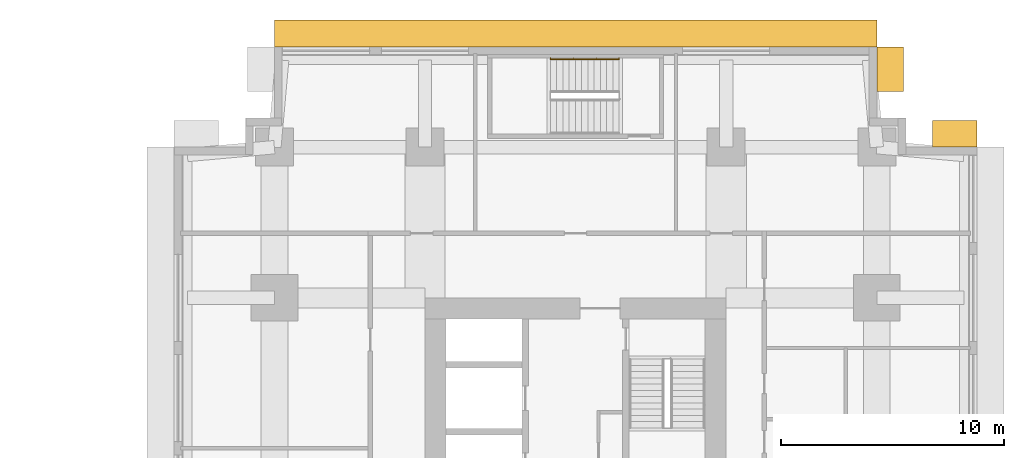
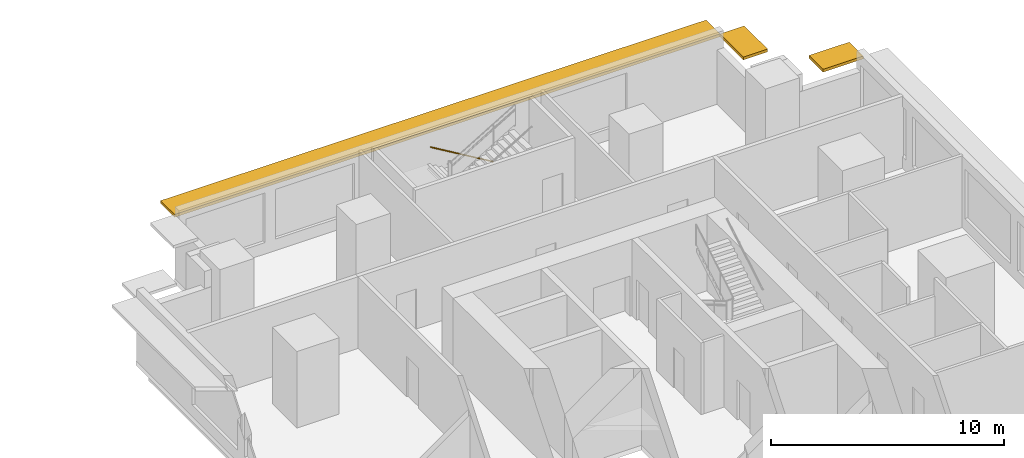
# One storey, part 11 of 11: 3 shading devices, 1 railing.
"""IFC4 building model written with IfcOpenShell, lengths in metres."""

import ifcopenshell
import ifcopenshell.guid

model = None  # the IFC model being written
_history = None  # IfcOwnerHistory: only IFC2X3 demands one
_inside = {}  # id of a spatial element -> (the spatial element, [elements in it])
_under = {}  # id of a project, library or spatial element -> (it, [spatial elements below it])
_declared = {}  # id of a project -> (the project, [libraries it declares])
_typed = {}  # id of a type object -> (the type object, [elements of that type])
_made_of = {}  # id of a material, layer set ... -> (it, [elements and type objects made of it])


def new_model(schema):
    """Start an empty IFC model of exactly this schema.

    Asked for "IFC4X3", IfcOpenShell would pick the latest addendum, in which some entities
    have other attributes; the version numbers below select the first issue.
    IFC2X3 requires an IfcOwnerHistory on every rooted entity: one is made here for all.
    """
    global model, _history
    if schema == "IFC4X3":
        model = ifcopenshell.file(schema_version=(4, 3, 0, 0))
    else:
        model = ifcopenshell.file(schema=schema)
    _inside.clear()
    _under.clear()
    _declared.clear()
    _typed.clear()
    _made_of.clear()
    _history = None
    if model.schema == "IFC2X3":
        org = make("IfcOrganization", Name="unknown")
        user = make(
            "IfcPersonAndOrganization",
            ThePerson=make("IfcPerson", FamilyName="unknown"),
            TheOrganization=org,
        )
        app = make(
            "IfcApplication",
            ApplicationDeveloper=org,
            Version="unknown",
            ApplicationFullName="unknown",
            ApplicationIdentifier="unknown",
        )
        _history = make(
            "IfcOwnerHistory",
            OwningUser=user,
            OwningApplication=app,
            ChangeAction="ADDED",
            CreationDate=0,
        )
    return model


def make(cls, **values):
    """One entity of the class cls with the attributes given. An attribute that is None is left unset."""
    return model.create_entity(
        cls, **{name: value for name, value in values.items() if value is not None}
    )


def rooted(cls, **values):
    """An entity with a GlobalId (a new one), such as an element, a storey or a relation."""
    return make(cls, GlobalId=ifcopenshell.guid.new(), OwnerHistory=_history, **values)


def si_unit(unit_type, name, prefix=None):
    """IfcSIUnit, for example si_unit("LENGTHUNIT", "METRE", prefix="MILLI")."""
    return make("IfcSIUnit", UnitType=unit_type, Prefix=prefix, Name=name)


def assignment(units):
    """IfcUnitAssignment: the units of a project."""
    return None if units is None else make("IfcUnitAssignment", Units=units)


def point(xyz):
    """IfcCartesianPoint."""
    return None if xyz is None else make("IfcCartesianPoint", Coordinates=xyz)


def direction(xyz):
    """IfcDirection."""
    return None if xyz is None else make("IfcDirection", DirectionRatios=xyz)


def frame(location, z_axis=None, x_axis=None):
    """IfcAxis2Placement3D, a coordinate frame: its origin and axes. An axis left out is left unset."""
    return make(
        "IfcAxis2Placement3D",
        Location=point(location),
        Axis=direction(z_axis),
        RefDirection=direction(x_axis),
    )


def frame_2d(location, x_axis=None):
    """IfcAxis2Placement2D, a coordinate frame in the plane: its origin and x axis."""
    return make(
        "IfcAxis2Placement2D", Location=point(location), RefDirection=direction(x_axis)
    )


def origin():
    """The frame at (0, 0, 0) with its axes left unset."""
    return frame((0.0, 0.0, 0.0))


def origin_2d():
    """The frame at (0, 0) in the plane with its x axis left unset."""
    return frame_2d((0.0, 0.0))


def place(relative_to, where):
    """IfcLocalPlacement: puts the frame where relative to a parent placement (None: the world)."""
    return make(
        "IfcLocalPlacement", PlacementRelTo=relative_to, RelativePlacement=where
    )


def context(
    kind, dimensions, precision=None, world=None, true_north=None, identifier=None
):
    """IfcGeometricRepresentationContext, for example the 3D "Model" context."""
    return make(
        "IfcGeometricRepresentationContext",
        ContextIdentifier=identifier,
        ContextType=kind,
        CoordinateSpaceDimension=dimensions,
        Precision=precision,
        WorldCoordinateSystem=world,
        TrueNorth=true_north,
    )


def subcontext(parent, identifier, kind, view, scale=None):
    """IfcGeometricRepresentationSubContext, for example "Body" below "Model"."""
    return make(
        "IfcGeometricRepresentationSubContext",
        ContextIdentifier=identifier,
        ContextType=kind,
        ParentContext=parent,
        TargetScale=scale,
        TargetView=view,
    )


def project(units=None, contexts=None):
    """IfcProject with its units and contexts."""
    return rooted(
        "IfcProject",
        Name="project",
        RepresentationContexts=contexts,
        UnitsInContext=assignment(units),
    )


def spatial(cls, under=None, at=None, **own):
    """A site, building, storey or space (cls), placed at a placement, below another one or the project."""
    s = rooted(cls, ObjectPlacement=at, **own)
    if under is not None:
        _under.setdefault(under.id(), (under, []))[1].append(s)
    return s


def profile(cls, at=None, kind="AREA", **sizes):
    """A parametric profile (cls). Its sizes go by their IFC names, for example OverallWidth=200.0."""
    return make(cls, ProfileType=kind, Position=at, **sizes)


def rectangle(**sizes):
    """IfcRectangleProfileDef."""
    return profile("IfcRectangleProfileDef", **sizes)


def circle(**sizes):
    """IfcCircleProfileDef."""
    return profile("IfcCircleProfileDef", **sizes)


def extrude(swept, where, along, depth):
    """IfcExtrudedAreaSolid: the profile swept, set in the frame where, extruded along a direction by depth."""
    return make(
        "IfcExtrudedAreaSolid",
        SweptArea=swept,
        Position=where,
        ExtrudedDirection=direction(along),
        Depth=depth,
    )


def shape(context_of_items, identifier, shape_type, items):
    """IfcShapeRepresentation: the items that make up one representation, for example the "Body"."""
    return make(
        "IfcShapeRepresentation",
        ContextOfItems=context_of_items,
        RepresentationIdentifier=identifier,
        RepresentationType=shape_type,
        Items=items,
    )


def material(Name=None, Category=None):
    """IfcMaterial."""
    return make("IfcMaterial", Name=Name, Category=Category)


def layer(
    of_material, thickness, ventilated=None, Name=None, Category=None, Priority=None
):
    """IfcMaterialLayer: one layer of a wall or slab, of a material (None: an air gap)."""
    return make(
        "IfcMaterialLayer",
        Material=of_material,
        LayerThickness=thickness,
        IsVentilated=ventilated,
        Name=Name,
        Category=Category,
        Priority=Priority,
    )


def layer_set(layers, Name=None):
    """IfcMaterialLayerSet."""
    return make("IfcMaterialLayerSet", MaterialLayers=layers, LayerSetName=Name)


def made_of(thing, what):
    """Note that an element or type object is made of a material, layer set ...; save() writes the relation."""
    if what is not None:
        _made_of.setdefault(what.id(), (what, []))[1].append(thing)
    return thing


def type_object(cls, material=None, **own):
    """A type object (cls), such as IfcWallType, which elements share."""
    return made_of(rooted(cls, **own), material)


def element(
    cls,
    number,
    at=None,
    inside=None,
    cuts=None,
    type_object=None,
    material=None,
    context=None,
    identifier="Body",
    shape_type=None,
    held_by="IfcProductDefinitionShape",
    body=None,
    shapes=None,
    **own,
):
    """One element of the class cls, such as IfcWall. Its Tag is "e" and its number.

    at: its placement. inside: the storey or other place that contains it. cuts: it is an
    opening in that element (IfcRelVoidsElement). A single representation is given by context,
    identifier, shape_type and body (its items); several are given by shapes. held_by: the class
    of the entity that holds the representations. save() writes the other relations.
    """
    e = rooted(cls, Tag="e%d" % number, ObjectPlacement=at, **own)
    if body is not None:
        shapes = [shape(context, identifier, shape_type, body)]
    if shapes is not None:
        e.Representation = make(held_by, Representations=shapes)
    if inside is not None:
        _inside.setdefault(inside.id(), (inside, []))[1].append(e)
    if cuts is not None:
        rooted(
            "IfcRelVoidsElement", RelatingBuildingElement=cuts, RelatedOpeningElement=e
        )
    if type_object is not None:
        _typed.setdefault(type_object.id(), (type_object, []))[1].append(e)
    return made_of(e, material)


def aggregate(whole, parts):
    """IfcRelAggregates: a whole, such as a stair, and the parts it consists of."""
    return rooted("IfcRelAggregates", RelatingObject=whole, RelatedObjects=parts)


def save(model, path):
    """Write the relations noted so far, then the file.

    IfcRelAggregates (storeys below a building ...), IfcRelContainedInSpatialStructure (elements
    in a storey), IfcRelDefinesByType, IfcRelAssociatesMaterial and IfcRelDeclares: one each for
    every whole, place, type object, material and project.
    """
    for whole, parts in _under.values():
        aggregate(whole, parts)
    for where, things in _inside.values():
        rooted(
            "IfcRelContainedInSpatialStructure",
            RelatedElements=things,
            RelatingStructure=where,
        )
    for kind, things in _typed.values():
        rooted("IfcRelDefinesByType", RelatedObjects=things, RelatingType=kind)
    for what, things in _made_of.values():
        rooted("IfcRelAssociatesMaterial", RelatedObjects=things, RelatingMaterial=what)
    for by, libraries in _declared.values():
        rooted("IfcRelDeclares", RelatingContext=by, RelatedDefinitions=libraries)
    model.write(path)


model = new_model("IFC4")

# Units and contexts
model_context = context("Model", 3, precision=1e-05, world=origin(), true_north=direction((0.0, 1.0)))
body_context = subcontext(model_context, "Body", "Model", "MODEL_VIEW")
ifc_project = project(units=[si_unit("LENGTHUNIT", "METRE"), si_unit("AREAUNIT", "SQUARE_METRE"), si_unit("VOLUMEUNIT", "CUBIC_METRE"), si_unit("PLANEANGLEUNIT", "RADIAN"), si_unit("MASSUNIT", "GRAM", prefix="KILO")], contexts=[model_context])

# Site, building, storey
site_placement = place(None, origin())
site = spatial("IfcSite", under=ifc_project, at=site_placement, CompositionType="ELEMENT")
building_placement = place(site_placement, origin())
building = spatial("IfcBuilding", under=site, at=building_placement, Name="Namib Vertical Campus", CompositionType="ELEMENT")
storey_placement = place(building_placement, frame((0.0, 0.0, 53.0)))
storey = spatial("IfcBuildingStorey", under=building, at=storey_placement, Name="L12", CompositionType="ELEMENT", Elevation=53.0)

# Railing
ifc_material_1 = material(Name="Steel handrail", Category="steel")
railing_type = type_object("IfcRailingType", Name="Handrail 900", PredefinedType="HANDRAIL", material=ifc_material_1)
railing_placement = place(storey_placement, frame((82.949951171875, 39.949951171875, 0.166748046875)))
element("IfcRailing", 1, at=railing_placement, inside=storey, type_object=railing_type, Name="Handrail HR1 B-S3 L12 1", PredefinedType="HANDRAIL", context=body_context, shape_type="SweptSolid", body=[
    extrude(circle(Radius=0.02392578125, at=origin_2d()), frame((0.0, 0.0, 0.8759765625), z_axis=(-0.859290745958, 0.0, 0.51148745235), x_axis=(0.0, -1.0, 0.0)), (0.0, 0.0, 1.0), 3.584228515625),
    extrude(circle(Radius=0.008056640625, at=origin_2d()), frame((0.0, 0.0, 0.8759765625), z_axis=(0.0, 1.0, 0.0), x_axis=(0.0, 0.0, 1.0)), (0.0, 0.0, 1.0), 0.050048828125),
    extrude(circle(Radius=0.008056640625, at=origin_2d()), frame((-1.026611328125, 0.0, 1.48681640625), z_axis=(0.0, 1.0, 0.0), x_axis=(0.0, 0.0, 1.0)), (0.0, 0.0, 1.0), 0.050048828125),
    extrude(circle(Radius=0.008056640625, at=origin_2d()), frame((-2.05322265625, 0.0, 2.09814453125), z_axis=(0.0, 1.0, 0.0), x_axis=(0.0, 0.0, 1.0)), (0.0, 0.0, 1.0), 0.050048828125),
    extrude(circle(Radius=0.008056640625, at=origin_2d()), frame((-3.079833984375, 0.0, 2.708984375), z_axis=(0.0, 1.0, 0.0), x_axis=(0.0, 0.0, 1.0)), (0.0, 0.0, 1.0), 0.050048828125),
])

# Shading devices
ifc_material_2 = material(Name="Concrete C40/50 precast", Category="concrete")
ifc_layer = layer(ifc_material_2, 0.14990234375)
ifc_layer_set = layer_set([ifc_layer], Name="Concrete C40/50 precast")
shading_device_type = type_object("IfcShadingDeviceType", Name="Sunshade hood 1200", PredefinedType="SHUTTER", material=ifc_layer_set)
for number, where, z_axis, x_axis, name in (
    (2, (98.0, 36.60009765625, 3.199951171875), (0.0, 0.0, 1.0), (-1.0, 0.0, 0.0), "Sunshade SH2 L12 7"),
    (3, (95.10009765625, 39.5, 3.199951171875), (0.0, 0.0, 1.0), (0.0, 1.0, 0.0), "Sunshade SH2 L12 10"),
):
    element("IfcShadingDevice", number, at=place(storey_placement, frame(where, z_axis=z_axis, x_axis=x_axis)), inside=storey, type_object=shading_device_type, Name=name, PredefinedType="SHUTTER", context=body_context, shape_type="SweptSolid", body=[
        extrude(rectangle(XDim=2.0, YDim=1.199951171875, at=origin_2d()), origin(), (0.0, 0.0, 1.0), 0.14990234375),
    ])
shading_device_placement = place(storey_placement, frame((81.0, 41.10009765625, 3.199951171875), z_axis=(0.0, 0.0, 1.0), x_axis=(-1.0, 0.0, 0.0)))
element("IfcShadingDevice", 4, at=shading_device_placement, inside=storey, type_object=shading_device_type, Name="Sunshade SH2 L12 11", PredefinedType="SHUTTER", context=body_context, shape_type="SweptSolid", body=[
    extrude(rectangle(XDim=27.0, YDim=1.199951171875, at=origin_2d()), origin(), (0.0, 0.0, 1.0), 0.14990234375),
])

save(model, "model.ifc")
